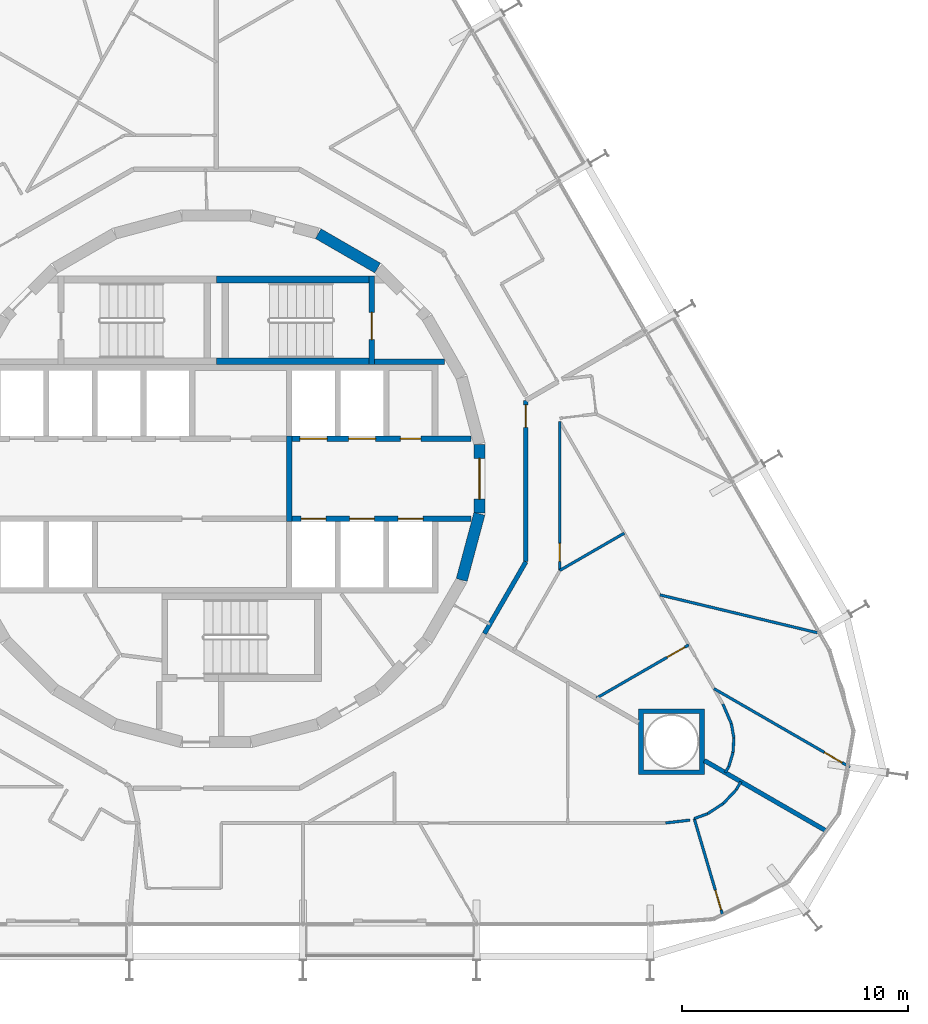
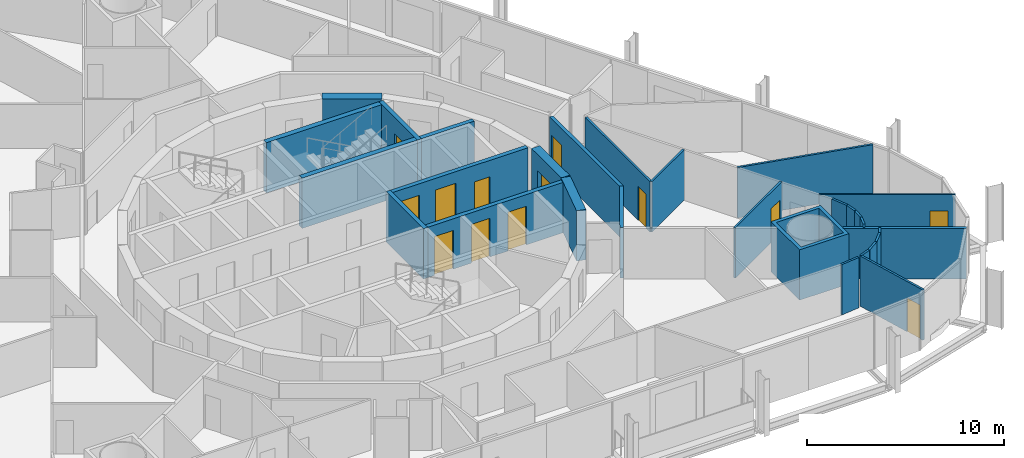
# One storey, part 16 of 20: 30 walls, 13 doors, 13 openings.
"""IFC4 building model written with IfcOpenShell, lengths in metres."""

from ifc_helpers import new_model, si_unit, direction, frame, frame_2d, origin, place, context, subcontext, project, spatial, polyline, rectangle, outline, extrude, material, layer, layer_set, type_object, element, fill, save


model = new_model("IFC4")

# Units and contexts
model_context = context("Model", 3, precision=1e-05, world=origin(), true_north=direction((0.0, 1.0)))
body_context = subcontext(model_context, "Body", "Model", "MODEL_VIEW")
ifc_project = project(units=[si_unit("LENGTHUNIT", "METRE"), si_unit("AREAUNIT", "SQUARE_METRE"), si_unit("VOLUMEUNIT", "CUBIC_METRE"), si_unit("PLANEANGLEUNIT", "RADIAN"), si_unit("MASSUNIT", "GRAM", prefix="KILO")], contexts=[model_context])

# Site, building, storey
site_placement = place(None, origin())
site = spatial("IfcSite", under=ifc_project, at=site_placement, CompositionType="ELEMENT")
building_placement = place(site_placement, origin())
building = spatial("IfcBuilding", under=site, at=building_placement, Name="Spindle Arch Residences", CompositionType="ELEMENT")
storey_placement = place(building_placement, frame((0.0, 0.0, 59.39990234375)))
storey = spatial("IfcBuildingStorey", under=building, at=storey_placement, Name="L13", CompositionType="ELEMENT", Elevation=59.39990234375)

# Wall
ifc_material_1 = material(Name="Concrete C50/60", Category="concrete")
ifc_layer_1 = layer(ifc_material_1, 0.5)
ifc_layer_set_1 = layer_set([ifc_layer_1], Name="Core outline wall 500")
wall_type_1 = type_object("IfcWallType", Name="Core outline wall 500", PredefinedType="SHEAR", material=ifc_layer_set_1)
wall_1_placement = place(storey_placement, frame((10.858154296875, -4.479248046875, 0.0), z_axis=(0.0, 0.0, 1.0), x_axis=(0.258734743916, 0.965948410781, 0.0)))
element("IfcWall", 1, at=wall_1_placement, inside=storey, type_object=wall_type_1, Name="Core outline wall 5", PredefinedType="SHEAR", context=body_context, shape_type="SweptSolid", body=[
    extrude(rectangle(XDim=3.03271484375, YDim=0.5, at=frame_2d((1.516357421875, 0.0))), origin(), (0.0, 0.0, 1.0), 3.1201171875),
])

# Wall, opening, door
wall_2_placement = place(storey_placement, frame((11.647216796875, -1.516357421875, 0.0), z_axis=(0.0, 0.0, 1.0), x_axis=(0.0, 1.0, 0.0)))
wall_2 = element("IfcWall", 2, at=wall_2_placement, inside=storey, type_object=wall_type_1, Name="Core outline wall 6", PredefinedType="SHEAR", context=body_context, shape_type="SweptSolid", body=[
    extrude(rectangle(XDim=3.03271484375, YDim=0.5, at=frame_2d((1.516357421875, 0.0))), origin(), (0.0, 0.0, 1.0), 3.1201171875),
])
opening_1_placement = place(wall_2_placement, frame((0.6162109375, 0.0, 0.0)))
opening_1 = element("IfcOpeningElement", 3, at=opening_1_placement, cuts=wall_2, Name="Opening R1C0-FE01", PredefinedType="OPENING", context=body_context, shape_type="SweptSolid", body=[
    extrude(rectangle(XDim=1.800048828125, YDim=2.10009765625, at=frame_2d((0.89990234375, 1.050048828125))), frame((0.0, 0.260009765625, 0.0), z_axis=(0.0, -1.0, 0.0), x_axis=(1.0, 0.0, 0.0)), (0.0, 0.0, 1.0), 0.52001953125),
])
ifc_material_2 = material(Name="Steel, fire-resisting door", Category="steel")
door_type_1 = type_object("IfcDoorType", Name="Fire-lift lobby door 1800x2100", OperationType="DOUBLE_DOOR_SINGLE_SWING", PredefinedType="DOOR", material=ifc_material_2)
door_1_placement = place(opening_1_placement, origin())
door_1 = element("IfcDoor", 4, at=door_1_placement, inside=storey, type_object=door_type_1, Name="Fire-lift lobby door R1C0-FE01", OperationType="DOUBLE_DOOR_SINGLE_SWING", OverallHeight=2.10009765625, OverallWidth=1.800048828125, PredefinedType="DOOR", context=body_context, shape_type="SweptSolid", body=[
    extrude(rectangle(XDim=1.800048828125, YDim=2.10009765625, at=frame_2d((0.89990234375, 1.050048828125))), frame((0.0, 0.02490234375, 0.0), z_axis=(0.0, -1.0, 0.0), x_axis=(1.0, 0.0, 0.0)), (0.0, 0.0, 1.0), 0.050048828125),
])
fill(opening_1, door_1)

# Walls
wall_3_placement = place(storey_placement, frame((7.13671875, 9.32861328125, 0.0), z_axis=(0.0, 0.0, 1.0), x_axis=(-0.865975092491, 0.500087131594, 0.0)))
element("IfcWall", 5, at=wall_3_placement, inside=storey, type_object=wall_type_1, Name="Core outline wall 10", PredefinedType="SHEAR", context=body_context, shape_type="SweptSolid", body=[
    extrude(rectangle(XDim=3.03271484375, YDim=0.5, at=frame_2d((1.516357421875, 0.0))), origin(), (0.0, 0.0, 1.0), 3.1201171875),
])
ifc_material_3 = material(Name="Calcium silicate block, plastered")
ifc_layer_2 = layer(ifc_material_3, 0.199951171875)
ifc_layer_set_2 = layer_set([ifc_layer_2], Name="Corridor wall 200")
wall_type_2 = type_object("IfcWallType", Name="Corridor wall 200", PredefinedType="STANDARD", material=ifc_layer_set_2)
wall_4_placement = place(storey_placement, frame((11.864501953125, -6.85009765625, 0.0), z_axis=(0.0, 0.0, 1.0), x_axis=(0.499987270552, 0.86603275301, 0.0)))
element("IfcWall", 6, at=wall_4_placement, inside=storey, type_object=wall_type_2, Name="Corridor wall R1C0-W007", PredefinedType="STANDARD", context=body_context, shape_type="SweptSolid", body=[
    extrude(rectangle(XDim=3.6708984375, YDim=0.199951171875, at=frame_2d((1.83544921875, 0.0))), origin(), (0.0, 0.0, 1.0), 3.1201171875),
])

# Wall, opening, door
wall_5_placement = place(storey_placement, frame((13.699951171875, -3.6708984375, 0.0), z_axis=(0.0, 0.0, 1.0), x_axis=(0.0, 1.0, 0.0)))
wall_5 = element("IfcWall", 7, at=wall_5_placement, inside=storey, type_object=wall_type_2, Name="Corridor wall R1C0-W008", PredefinedType="STANDARD", context=body_context, shape_type="SweptSolid", body=[
    extrude(rectangle(XDim=7.146484375, YDim=0.199951171875, at=frame_2d((3.5732421875, 0.0))), origin(), (0.0, 0.0, 1.0), 3.1201171875),
])
opening_2_placement = place(wall_5_placement, frame((5.946533203125, 0.0, 0.0)))
opening_2 = element("IfcOpeningElement", 8, at=opening_2_placement, cuts=wall_5, Name="Opening R1C0-FD06", PredefinedType="OPENING", context=body_context, shape_type="SweptSolid", body=[
    extrude(rectangle(XDim=1.0, YDim=2.10009765625, at=frame_2d((0.5, 1.050048828125))), frame((0.0, 0.10986328125, 0.0), z_axis=(0.0, -1.0, 0.0), x_axis=(1.0, 0.0, 0.0)), (0.0, 0.0, 1.0), 0.219970703125),
])
ifc_material_4 = material(Name="Timber, fire-resisting door set", Category="wood")
door_type_2 = type_object("IfcDoorType", Name="Flat entrance door 1000x2100", OperationType="NOTDEFINED", PredefinedType="DOOR", material=ifc_material_4)
door_2_placement = place(opening_2_placement, origin())
door_2 = element("IfcDoor", 9, at=door_2_placement, inside=storey, type_object=door_type_2, Name="Flat entrance door R1C0-FD06", OperationType="SINGLE_SWING_LEFT", OverallHeight=2.10009765625, OverallWidth=1.0, PredefinedType="DOOR", context=body_context, shape_type="SweptSolid", body=[
    extrude(rectangle(XDim=1.0, YDim=2.10009765625, at=frame_2d((0.5, 1.050048828125))), frame((0.0, 0.02490234375, 0.0), z_axis=(0.0, -1.0, 0.0), x_axis=(1.0, 0.0, 0.0)), (0.0, 0.0, 1.0), 0.050048828125),
])
fill(opening_2, door_2)

# Wall, openings, doors
ifc_material_5 = material(Name="Concrete C40/50", Category="concrete")
ifc_layer_3 = layer(ifc_material_5, 0.25)
ifc_layer_set_3 = layer_set([ifc_layer_3], Name="Fire-lift lobby wall 250")
wall_type_3 = type_object("IfcWallType", Name="Fire-lift lobby wall 250", PredefinedType="SHEAR", material=ifc_layer_set_3)
wall_6_placement = place(storey_placement, frame((3.35009765625, 1.77490234375, 0.0), z_axis=(0.0, 0.0, 1.0), x_axis=(1.0, 0.0, 0.0)))
wall_6 = element("IfcWall", 10, at=wall_6_placement, inside=storey, type_object=wall_type_3, Name="Lift shaft front wall NE", PredefinedType="SHEAR", context=body_context, shape_type="SweptSolid", body=[
    extrude(rectangle(XDim=7.929931640625, YDim=0.25, at=frame_2d((3.96484375, 0.0))), origin(), (0.0, 0.0, 1.0), 3.1201171875),
])
opening_3_placement = place(wall_6_placement, frame((0.35009765625, 0.0, 0.0)))
opening_3 = element("IfcOpeningElement", 11, at=opening_3_placement, cuts=wall_6, Name="Opening R1C0-SLD01", PredefinedType="OPENING", context=body_context, shape_type="SweptSolid", body=[
    extrude(rectangle(XDim=1.199951171875, YDim=2.39990234375, at=frame_2d((0.60009765625, 1.199951171875))), frame((0.0, 0.135009765625, 0.0), z_axis=(0.0, -1.0, 0.0), x_axis=(1.0, 0.0, 0.0)), (0.0, 0.0, 1.0), 0.27001953125),
])
opening_4_placement = place(wall_6_placement, frame((2.5, 0.0, 0.0)))
opening_4 = element("IfcOpeningElement", 12, at=opening_4_placement, cuts=wall_6, Name="Opening R1C0-SLD02", PredefinedType="OPENING", context=body_context, shape_type="SweptSolid", body=[
    extrude(rectangle(XDim=1.199951171875, YDim=2.39990234375, at=frame_2d((0.60009765625, 1.199951171875))), frame((0.0, 0.135009765625, 0.0), z_axis=(0.0, -1.0, 0.0), x_axis=(1.0, 0.0, 0.0)), (0.0, 0.0, 1.0), 0.27001953125),
])
opening_5_placement = place(wall_6_placement, frame((4.800048828125, 0.0, 0.0)))
opening_5 = element("IfcOpeningElement", 13, at=opening_5_placement, cuts=wall_6, Name="Opening R1C0-WD02", PredefinedType="OPENING", context=body_context, shape_type="SweptSolid", body=[
    extrude(rectangle(XDim=0.89990234375, YDim=2.10009765625, at=frame_2d((0.449951171875, 1.050048828125))), frame((0.0, 0.135009765625, 0.0), z_axis=(0.0, -1.0, 0.0), x_axis=(1.0, 0.0, 0.0)), (0.0, 0.0, 1.0), 0.27001953125),
])
ifc_material_6 = material(Name="Steel, fire-resisting landing door", Category="steel")
door_type_3 = type_object("IfcDoorType", Name="Service lift landing door 1200x2400", OperationType="DOUBLE_DOOR_SLIDING", PredefinedType="DOOR", material=ifc_material_6)
door_3_placement = place(opening_3_placement, origin())
door_3 = element("IfcDoor", 14, at=door_3_placement, inside=storey, type_object=door_type_3, Name="Service lift landing door R1C0-SLD01", OperationType="DOUBLE_DOOR_SLIDING", OverallHeight=2.39990234375, OverallWidth=1.199951171875, PredefinedType="DOOR", context=body_context, shape_type="SweptSolid", body=[
    extrude(rectangle(XDim=1.199951171875, YDim=2.39990234375, at=frame_2d((0.60009765625, 1.199951171875))), frame((0.0, 0.02490234375, 0.0), z_axis=(0.0, -1.0, 0.0), x_axis=(1.0, 0.0, 0.0)), (0.0, 0.0, 1.0), 0.050048828125),
])
fill(opening_3, door_3)
door_4_placement = place(opening_4_placement, origin())
door_4 = element("IfcDoor", 15, at=door_4_placement, inside=storey, type_object=door_type_3, Name="Service lift landing door R1C0-SLD02", OperationType="DOUBLE_DOOR_SLIDING", OverallHeight=2.39990234375, OverallWidth=1.199951171875, PredefinedType="DOOR", context=body_context, shape_type="SweptSolid", body=[
    extrude(rectangle(XDim=1.199951171875, YDim=2.39990234375, at=frame_2d((0.60009765625, 1.199951171875))), frame((0.0, 0.02490234375, 0.0), z_axis=(0.0, -1.0, 0.0), x_axis=(1.0, 0.0, 0.0)), (0.0, 0.0, 1.0), 0.050048828125),
])
fill(opening_4, door_4)
ifc_material_7 = material(Name="Steel, fire-resisting door", Category="steel")
door_type_4 = type_object("IfcDoorType", Name="Service room door 900x2100", OperationType="SINGLE_SWING_LEFT", PredefinedType="DOOR", material=ifc_material_7)
door_5_placement = place(opening_5_placement, origin())
door_5 = element("IfcDoor", 16, at=door_5_placement, inside=storey, type_object=door_type_4, Name="Service room door R1C0-WD02", OperationType="SINGLE_SWING_LEFT", OverallHeight=2.10009765625, OverallWidth=0.89990234375, PredefinedType="DOOR", context=body_context, shape_type="SweptSolid", body=[
    extrude(rectangle(XDim=0.89990234375, YDim=2.10009765625, at=frame_2d((0.449951171875, 1.050048828125))), frame((0.0, 0.02490234375, 0.0), z_axis=(0.0, -1.0, 0.0), x_axis=(1.0, 0.0, 0.0)), (0.0, 0.0, 1.0), 0.050048828125),
])
fill(opening_5, door_5)

# Wall
wall_7_placement = place(storey_placement, frame((3.22509765625, -1.89990234375, 0.0), z_axis=(0.0, 0.0, 1.0), x_axis=(0.0, 1.0, 0.0)))
element("IfcWall", 17, at=wall_7_placement, inside=storey, type_object=wall_type_3, Name="Fire-fighting lobby partition", PredefinedType="SHEAR", context=body_context, shape_type="SweptSolid", body=[
    extrude(rectangle(XDim=3.7998046875, YDim=0.25, at=frame_2d((1.89990234375, 0.0))), origin(), (0.0, 0.0, 1.0), 3.1201171875),
])

# Wall, openings, doors
ifc_material_8 = material(Name="Concrete C50/60", Category="concrete")
ifc_layer_4 = layer(ifc_material_8, 0.25)
ifc_layer_set_4 = layer_set([ifc_layer_4], Name="Fire-lift shaft wall 250")
wall_type_4 = type_object("IfcWallType", Name="Fire-lift shaft wall 250", PredefinedType="SHEAR", material=ifc_layer_set_4)
wall_8_placement = place(storey_placement, frame((3.35009765625, -1.77490234375, 0.0), z_axis=(0.0, 0.0, 1.0), x_axis=(1.0, 0.0, 0.0)))
wall_8 = element("IfcWall", 18, at=wall_8_placement, inside=storey, type_object=wall_type_4, Name="Lift shaft front wall SE", PredefinedType="SHEAR", context=body_context, shape_type="SweptSolid", body=[
    extrude(rectangle(XDim=7.929931640625, YDim=0.25, at=frame_2d((3.96484375, 0.0))), origin(), (0.0, 0.0, 1.0), 3.1201171875),
])
opening_6_placement = place(wall_8_placement, frame((0.39990234375, 0.0, 0.0)))
opening_6 = element("IfcOpeningElement", 19, at=opening_6_placement, cuts=wall_8, Name="Opening R1C0-FLD01", PredefinedType="OPENING", context=body_context, shape_type="SweptSolid", body=[
    extrude(rectangle(XDim=1.10009765625, YDim=2.39990234375, at=frame_2d((0.550048828125, 1.199951171875))), frame((0.0, 0.135009765625, 0.0), z_axis=(0.0, -1.0, 0.0), x_axis=(1.0, 0.0, 0.0)), (0.0, 0.0, 1.0), 0.27001953125),
])
opening_7_placement = place(wall_8_placement, frame((2.550048828125, 0.0, 0.0)))
opening_7 = element("IfcOpeningElement", 20, at=opening_7_placement, cuts=wall_8, Name="Opening R1C0-FLD02", PredefinedType="OPENING", context=body_context, shape_type="SweptSolid", body=[
    extrude(rectangle(XDim=1.10009765625, YDim=2.39990234375, at=frame_2d((0.550048828125, 1.199951171875))), frame((0.0, 0.135009765625, 0.0), z_axis=(0.0, -1.0, 0.0), x_axis=(1.0, 0.0, 0.0)), (0.0, 0.0, 1.0), 0.27001953125),
])
opening_8_placement = place(wall_8_placement, frame((4.699951171875, 0.0, 0.0)))
opening_8 = element("IfcOpeningElement", 21, at=opening_8_placement, cuts=wall_8, Name="Opening R1C0-FLD03", PredefinedType="OPENING", context=body_context, shape_type="SweptSolid", body=[
    extrude(rectangle(XDim=1.10009765625, YDim=2.39990234375, at=frame_2d((0.550048828125, 1.199951171875))), frame((0.0, 0.135009765625, 0.0), z_axis=(0.0, -1.0, 0.0), x_axis=(1.0, 0.0, 0.0)), (0.0, 0.0, 1.0), 0.27001953125),
])
ifc_material_9 = material(Name="Steel, fire-resisting landing door", Category="steel")
door_type_5 = type_object("IfcDoorType", Name="Fire-fighting lift landing door 1100x2400", OperationType="DOUBLE_DOOR_SLIDING", PredefinedType="DOOR", material=ifc_material_9)
door_6_placement = place(opening_6_placement, origin())
door_6 = element("IfcDoor", 22, at=door_6_placement, inside=storey, type_object=door_type_5, Name="Fire-fighting lift landing door R1C0-FLD01", OperationType="DOUBLE_DOOR_SLIDING", OverallHeight=2.39990234375, OverallWidth=1.10009765625, PredefinedType="DOOR", context=body_context, shape_type="SweptSolid", body=[
    extrude(rectangle(XDim=1.10009765625, YDim=2.39990234375, at=frame_2d((0.550048828125, 1.199951171875))), frame((0.0, 0.02490234375, 0.0), z_axis=(0.0, -1.0, 0.0), x_axis=(1.0, 0.0, 0.0)), (0.0, 0.0, 1.0), 0.050048828125),
])
fill(opening_6, door_6)
door_7_placement = place(opening_7_placement, origin())
door_7 = element("IfcDoor", 23, at=door_7_placement, inside=storey, type_object=door_type_5, Name="Fire-fighting lift landing door R1C0-FLD02", OperationType="DOUBLE_DOOR_SLIDING", OverallHeight=2.39990234375, OverallWidth=1.10009765625, PredefinedType="DOOR", context=body_context, shape_type="SweptSolid", body=[
    extrude(rectangle(XDim=1.10009765625, YDim=2.39990234375, at=frame_2d((0.550048828125, 1.199951171875))), frame((0.0, 0.02490234375, 0.0), z_axis=(0.0, -1.0, 0.0), x_axis=(1.0, 0.0, 0.0)), (0.0, 0.0, 1.0), 0.050048828125),
])
fill(opening_7, door_7)
door_8_placement = place(opening_8_placement, origin())
door_8 = element("IfcDoor", 24, at=door_8_placement, inside=storey, type_object=door_type_5, Name="Fire-fighting lift landing door R1C0-FLD03", OperationType="DOUBLE_DOOR_SLIDING", OverallHeight=2.39990234375, OverallWidth=1.10009765625, PredefinedType="DOOR", context=body_context, shape_type="SweptSolid", body=[
    extrude(rectangle(XDim=1.10009765625, YDim=2.39990234375, at=frame_2d((0.550048828125, 1.199951171875))), frame((0.0, 0.02490234375, 0.0), z_axis=(0.0, -1.0, 0.0), x_axis=(1.0, 0.0, 0.0)), (0.0, 0.0, 1.0), 0.050048828125),
])
fill(opening_8, door_8)

# Wall
ifc_material_10 = material(Name="Plasterboard on steel studs", Category="steel")
ifc_layer_5 = layer(ifc_material_10, 0.1201171875)
ifc_layer_set_5 = layer_set([ifc_layer_5], Name="Flat partition 120")
wall_type_5 = type_object("IfcWallType", Name="Flat partition 120", PredefinedType="PARTITIONING", material=ifc_layer_set_5)
wall_9_placement = place(storey_placement, frame((20.966796875, -15.103759765625, 0.0), z_axis=(0.0, 0.0, 1.0), x_axis=(-0.993231641151, -0.116150363826, 0.0)))
element("IfcWall", 25, at=wall_9_placement, inside=storey, type_object=wall_type_5, Name="Flat partition R1C0-W106", PredefinedType="PARTITIONING", context=body_context, shape_type="SweptSolid", body=[
    extrude(rectangle(XDim=1.086669921875, YDim=0.1201171875, at=frame_2d((0.54345703125, 0.0))), origin(), (0.0, 0.0, 1.0), 3.1201171875),
])

# Wall, opening, door
wall_10_placement = place(storey_placement, frame((22.395751953125, -19.26611328125, 0.0), z_axis=(0.0, 0.0, 1.0), x_axis=(-0.282873823334, 0.959157130022, 0.0)))
wall_10 = element("IfcWall", 26, at=wall_10_placement, inside=storey, type_object=wall_type_5, Name="Flat partition R1C0-W107", PredefinedType="PARTITIONING", context=body_context, shape_type="SweptSolid", body=[
    extrude(rectangle(XDim=4.40869140625, YDim=0.1201171875, at=frame_2d((2.204345703125, 0.0))), origin(), (0.0, 0.0, 1.0), 3.1201171875),
])
opening_9_placement = place(wall_10_placement, frame((0.199951171875, 0.0, 0.0)))
opening_9 = element("IfcOpeningElement", 27, at=opening_9_placement, cuts=wall_10, Name="Opening R1C0-ID28", PredefinedType="OPENING", context=body_context, shape_type="SweptSolid", body=[
    extrude(rectangle(XDim=0.89990234375, YDim=2.10009765625, at=frame_2d((0.449951171875, 1.050048828125))), frame((0.0, 0.070068359375, 0.0), z_axis=(0.0, -1.0, 0.0), x_axis=(1.0, 0.0, 0.0)), (0.0, 0.0, 1.0), 0.14013671875),
])
ifc_material_11 = material(Name="Timber door set", Category="wood")
door_type_6 = type_object("IfcDoorType", Name="Room door 900x2100", OperationType="NOTDEFINED", PredefinedType="DOOR", material=ifc_material_11)
door_9_placement = place(opening_9_placement, origin())
door_9 = element("IfcDoor", 28, at=door_9_placement, inside=storey, type_object=door_type_6, Name="Room door R1C0-ID28", OperationType="SINGLE_SWING_RIGHT", OverallHeight=2.10009765625, OverallWidth=0.89990234375, PredefinedType="DOOR", context=body_context, shape_type="SweptSolid", body=[
    extrude(rectangle(XDim=0.89990234375, YDim=2.10009765625, at=frame_2d((0.449951171875, 1.050048828125))), frame((0.0, 0.02490234375, 0.0), z_axis=(0.0, -1.0, 0.0), x_axis=(1.0, 0.0, 0.0)), (0.0, 0.0, 1.0), 0.050048828125),
])
fill(opening_9, door_9)

# Walls
wall_11_placement = place(storey_placement, frame((21.148681640625, -15.03759765625, 0.0), z_axis=(0.0, 0.0, 1.0), x_axis=(0.939726102094, 0.341928140173, 0.0)))
element("IfcWall", 29, at=wall_11_placement, inside=storey, type_object=wall_type_5, Name="Flat partition R1C0-W108", PredefinedType="PARTITIONING", context=body_context, shape_type="SweptSolid", body=[
    extrude(rectangle(XDim=0.635498046875, YDim=0.1201171875, at=frame_2d((0.31787109375, 0.0))), origin(), (0.0, 0.0, 1.0), 3.1201171875),
])
wall_12_placement = place(storey_placement, frame((21.745849609375, -14.8203125, 0.0), z_axis=(0.0, 0.0, 1.0), x_axis=(0.835477570013, 0.549524549046, 0.0)))
element("IfcWall", 30, at=wall_12_placement, inside=storey, type_object=wall_type_5, Name="Flat partition R1C0-W109", PredefinedType="PARTITIONING", context=body_context, shape_type="SweptSolid", body=[
    extrude(rectangle(XDim=0.8291015625, YDim=0.1201171875, at=frame_2d((0.41455078125, 0.0))), origin(), (0.0, 0.0, 1.0), 3.1201171875),
])
wall_13_placement = place(storey_placement, frame((22.4384765625, -14.36474609375, 0.0), z_axis=(0.0, 0.0, 1.0), x_axis=(0.686182189596, 0.727429723535, 0.0)))
element("IfcWall", 31, at=wall_13_placement, inside=storey, type_object=wall_type_5, Name="Flat partition R1C0-W110", PredefinedType="PARTITIONING", context=body_context, shape_type="SweptSolid", body=[
    extrude(rectangle(XDim=0.82861328125, YDim=0.1201171875, at=frame_2d((0.414306640625, 0.0))), origin(), (0.0, 0.0, 1.0), 3.1201171875),
])
wall_14_placement = place(storey_placement, frame((23.007080078125, -13.761962890625, 0.0), z_axis=(0.0, 0.0, 1.0), x_axis=(0.499875358948, 0.866097353371, 0.0)))
element("IfcWall", 32, at=wall_14_placement, inside=storey, type_object=wall_type_5, Name="Flat partition R1C0-W111", PredefinedType="PARTITIONING", context=body_context, shape_type="SweptSolid", body=[
    extrude(rectangle(XDim=0.41455078125, YDim=0.1201171875, at=frame_2d((0.207275390625, 0.0))), origin(), (0.0, 0.0, 1.0), 3.1201171875),
])

# Wall, opening, door
wall_15_placement = place(storey_placement, frame((15.199951171875, -4.054931640625, 0.0), z_axis=(0.0, 0.0, 1.0), x_axis=(0.0, 1.0, 0.0)))
wall_15 = element("IfcWall", 33, at=wall_15_placement, inside=storey, type_object=wall_type_5, Name="Flat partition R1C0-W116", PredefinedType="PARTITIONING", context=body_context, shape_type="SweptSolid", body=[
    extrude(rectangle(XDim=6.587646484375, YDim=0.1201171875, at=frame_2d((3.2939453125, 0.0))), origin(), (0.0, 0.0, 1.0), 3.1201171875),
])
opening_10_placement = place(wall_15_placement, frame((0.39990234375, 0.0, 0.0)))
opening_10 = element("IfcOpeningElement", 34, at=opening_10_placement, cuts=wall_15, Name="Opening R1C0-BD07", PredefinedType="OPENING", context=body_context, shape_type="SweptSolid", body=[
    extrude(rectangle(XDim=0.800048828125, YDim=2.10009765625, at=frame_2d((0.39990234375, 1.050048828125))), frame((0.0, 0.070068359375, 0.0), z_axis=(0.0, -1.0, 0.0), x_axis=(1.0, 0.0, 0.0)), (0.0, 0.0, 1.0), 0.14013671875),
])
ifc_material_12 = material(Name="Timber door set", Category="wood")
door_type_7 = type_object("IfcDoorType", Name="Bathroom door 800x2100", OperationType="NOTDEFINED", PredefinedType="DOOR", material=ifc_material_12)
door_10_placement = place(opening_10_placement, origin())
door_10 = element("IfcDoor", 35, at=door_10_placement, inside=storey, type_object=door_type_7, Name="Bathroom door R1C0-BD07", OperationType="SINGLE_SWING_LEFT", OverallHeight=2.10009765625, OverallWidth=0.800048828125, PredefinedType="DOOR", context=body_context, shape_type="SweptSolid", body=[
    extrude(rectangle(XDim=0.800048828125, YDim=2.10009765625, at=frame_2d((0.39990234375, 1.050048828125))), frame((0.0, 0.02490234375, 0.0), z_axis=(0.0, -1.0, 0.0), x_axis=(1.0, 0.0, 0.0)), (0.0, 0.0, 1.0), 0.050048828125),
])
fill(opening_10, door_10)

# Walls
wall_16_placement = place(storey_placement, frame((22.4169921875, -9.967529296875, 0.0), z_axis=(0.0, 0.0, 1.0), x_axis=(0.395971779074, -0.918262680379, 0.0)))
element("IfcWall", 36, at=wall_16_placement, inside=storey, type_object=wall_type_5, Name="Flat partition R1C0-W119", PredefinedType="PARTITIONING", context=body_context, shape_type="SweptSolid", body=[
    extrude(rectangle(XDim=0.947021484375, YDim=0.1201171875, at=frame_2d((0.4736328125, 0.0))), origin(), (0.0, 0.0, 1.0), 3.1201171875),
])
wall_17_placement = place(storey_placement, frame((22.7919921875, -10.837158203125, 0.0), z_axis=(0.0, 0.0, 1.0), x_axis=(0.17382873157, -0.984775899421, 0.0)))
element("IfcWall", 37, at=wall_17_placement, inside=storey, type_object=wall_type_5, Name="Flat partition R1C0-W120", PredefinedType="PARTITIONING", context=body_context, shape_type="SweptSolid", body=[
    extrude(rectangle(XDim=0.641845703125, YDim=0.1201171875, at=frame_2d((0.32080078125, 0.0))), origin(), (0.0, 0.0, 1.0), 3.1201171875),
])
wall_18_placement = place(storey_placement, frame((22.903564453125, -11.46923828125, 0.0), z_axis=(0.0, 0.0, 1.0), x_axis=(-0.05820906079, -0.998304415117, 0.0)))
element("IfcWall", 38, at=wall_18_placement, inside=storey, type_object=wall_type_5, Name="Flat partition R1C0-W121", PredefinedType="PARTITIONING", context=body_context, shape_type="SweptSolid", body=[
    extrude(rectangle(XDim=0.6416015625, YDim=0.1201171875, at=frame_2d((0.32080078125, 0.0))), origin(), (0.0, 0.0, 1.0), 3.1201171875),
])
wall_19_placement = place(storey_placement, frame((22.8662109375, -12.10986328125, 0.0), z_axis=(0.0, 0.0, 1.0), x_axis=(-0.286754684479, -0.958004045362, 0.0)))
element("IfcWall", 39, at=wall_19_placement, inside=storey, type_object=wall_type_5, Name="Flat partition R1C0-W122", PredefinedType="PARTITIONING", context=body_context, shape_type="SweptSolid", body=[
    extrude(rectangle(XDim=0.641845703125, YDim=0.1201171875, at=frame_2d((0.32080078125, 0.0))), origin(), (0.0, 0.0, 1.0), 3.1201171875),
])
wall_20_placement = place(storey_placement, frame((22.68212890625, -12.724853515625, 0.0), z_axis=(0.0, 0.0, 1.0), x_axis=(-0.500226934229, -0.865894343596, 0.0)))
element("IfcWall", 40, at=wall_20_placement, inside=storey, type_object=wall_type_5, Name="Flat partition R1C0-W123", PredefinedType="PARTITIONING", context=body_context, shape_type="SweptSolid", body=[
    extrude(rectangle(XDim=0.321044921875, YDim=0.1201171875, at=frame_2d((0.16064453125, 0.0))), origin(), (0.0, 0.0, 1.0), 3.1201171875),
])

# Wall, opening, door
wall_21_placement = place(storey_placement, frame((28.037109375, -12.75927734375, 0.0), z_axis=(0.0, 0.0, 1.0), x_axis=(-0.866009909538, 0.500026835863, 0.0)))
wall_21 = element("IfcWall", 41, at=wall_21_placement, inside=storey, type_object=wall_type_5, Name="Flat partition R1C0-W124", PredefinedType="PARTITIONING", context=body_context, shape_type="SweptSolid", body=[
    extrude(rectangle(XDim=6.94287109375, YDim=0.1201171875, at=frame_2d((3.471435546875, 0.0))), origin(), (0.0, 0.0, 1.0), 3.1201171875),
])
opening_11_placement = place(wall_21_placement, frame((0.39990234375, 0.0, 0.0)))
opening_11 = element("IfcOpeningElement", 42, at=opening_11_placement, cuts=wall_21, Name="Opening R1C0-ID34", PredefinedType="OPENING", context=body_context, shape_type="SweptSolid", body=[
    extrude(rectangle(XDim=0.89990234375, YDim=2.10009765625, at=frame_2d((0.449951171875, 1.050048828125))), frame((0.0, 0.070068359375, 0.0), z_axis=(0.0, -1.0, 0.0), x_axis=(1.0, 0.0, 0.0)), (0.0, 0.0, 1.0), 0.14013671875),
])
door_11_placement = place(opening_11_placement, origin())
door_11 = element("IfcDoor", 43, at=door_11_placement, inside=storey, type_object=door_type_6, Name="Room door R1C0-ID34", OperationType="SINGLE_SWING_LEFT", OverallHeight=2.10009765625, OverallWidth=0.89990234375, PredefinedType="DOOR", context=body_context, shape_type="SweptSolid", body=[
    extrude(rectangle(XDim=0.89990234375, YDim=2.10009765625, at=frame_2d((0.449951171875, 1.050048828125))), frame((0.0, 0.02490234375, 0.0), z_axis=(0.0, -1.0, 0.0), x_axis=(1.0, 0.0, 0.0)), (0.0, 0.0, 1.0), 0.050048828125),
])
fill(opening_11, door_11)

wall_22_placement = place(storey_placement, frame((20.905029296875, -7.3486328125, 0.0), z_axis=(0.0, 0.0, 1.0), x_axis=(-0.866032292145, -0.49998806882, 0.0)))
wall_22 = element("IfcWall", 44, at=wall_22_placement, inside=storey, type_object=wall_type_5, Name="Flat partition R1C0-W125", PredefinedType="PARTITIONING", context=body_context, shape_type="SweptSolid", body=[
    extrude(rectangle(XDim=4.720703125, YDim=0.1201171875, at=frame_2d((2.3603515625, 0.0))), origin(), (0.0, 0.0, 1.0), 3.1201171875),
])
opening_12_placement = place(wall_22_placement, frame((0.199951171875, 0.0, 0.0)))
opening_12 = element("IfcOpeningElement", 45, at=opening_12_placement, cuts=wall_22, Name="Opening R1C0-ID32", PredefinedType="OPENING", context=body_context, shape_type="SweptSolid", body=[
    extrude(rectangle(XDim=0.89990234375, YDim=2.10009765625, at=frame_2d((0.449951171875, 1.050048828125))), frame((0.0, 0.070068359375, 0.0), z_axis=(0.0, -1.0, 0.0), x_axis=(1.0, 0.0, 0.0)), (0.0, 0.0, 1.0), 0.14013671875),
])
door_12_placement = place(opening_12_placement, origin())
door_12 = element("IfcDoor", 46, at=door_12_placement, inside=storey, type_object=door_type_6, Name="Room door R1C0-ID32", OperationType="SINGLE_SWING_LEFT", OverallHeight=2.10009765625, OverallWidth=0.89990234375, PredefinedType="DOOR", context=body_context, shape_type="SweptSolid", body=[
    extrude(rectangle(XDim=0.89990234375, YDim=2.10009765625, at=frame_2d((0.449951171875, 1.050048828125))), frame((0.0, 0.02490234375, 0.0), z_axis=(0.0, -1.0, 0.0), x_axis=(1.0, 0.0, 0.0)), (0.0, 0.0, 1.0), 0.050048828125),
])
fill(opening_12, door_12)

# Walls
wall_23_placement = place(storey_placement, frame((18.052490234375, -2.407958984375, 0.0), z_axis=(0.0, 0.0, 1.0), x_axis=(-0.866017718408, -0.500013311227, 0.0)))
element("IfcWall", 47, at=wall_23_placement, inside=storey, type_object=wall_type_5, Name="Flat partition R1C0-W126", PredefinedType="PARTITIONING", context=body_context, shape_type="SweptSolid", body=[
    extrude(rectangle(XDim=3.2939453125, YDim=0.1201171875, at=frame_2d((1.64697265625, 0.0))), origin(), (0.0, 0.0, 1.0), 3.1201171875),
])
wall_24_placement = place(storey_placement, frame((26.60009765625, -6.81298828125, 0.0), z_axis=(0.0, 0.0, 1.0), x_axis=(-0.972307508101, 0.23370517686, 0.0)))
element("IfcWall", 48, at=wall_24_placement, inside=storey, type_object=wall_type_5, Name="Flat partition R1C0-W127", PredefinedType="PARTITIONING", context=body_context, shape_type="SweptSolid", body=[
    extrude(rectangle(XDim=7.17041015625, YDim=0.1201171875, at=frame_2d((3.585205078125, 0.0))), origin(), (0.0, 0.0, 1.0), 3.1201171875),
])
ifc_material_13 = material(Name="Calcium silicate block, plastered")
ifc_layer_6 = layer(ifc_material_13, 0.199951171875)
ifc_layer_set_6 = layer_set([ifc_layer_6], Name="Flat party wall 200")
wall_type_6 = type_object("IfcWallType", Name="Flat party wall 200", PredefinedType="STANDARD", material=ifc_layer_set_6)
wall_25_placement = place(storey_placement, frame((27.02490234375, -15.602783203125, 0.0), z_axis=(0.0, 0.0, 1.0), x_axis=(-0.866030653443, 0.499990907215, 0.0)))
element("IfcWall", 49, at=wall_25_placement, inside=storey, type_object=wall_type_6, Name="Flat party wall R1C0-W030", PredefinedType="STANDARD", context=body_context, shape_type="SweptSolid", body=[
    extrude(rectangle(XDim=6.271484375, YDim=0.199951171875, at=frame_2d((3.1357421875, 0.0))), origin(), (0.0, 0.0, 1.0), 3.1201171875),
])
ifc_material_14 = material(Name="Calcium silicate block, plastered")
ifc_layer_7 = layer(ifc_material_14, 0.199951171875)
ifc_layer_set_7 = layer_set([ifc_layer_7], Name="Mega-column casing wall 200")
wall_type_7 = type_object("IfcWallType", Name="Mega-column casing wall 200", PredefinedType="STANDARD", material=ifc_layer_set_7)
wall_26_placement = place(storey_placement, origin())
element("IfcWall", 50, at=wall_26_placement, inside=storey, type_object=wall_type_7, Name="Mega-column casing wall R1C0-WC03", PredefinedType="STANDARD", context=body_context, shape_type="SweptSolid", body=[
    extrude(outline(polyline([(21.593505859375, -10.179931640625), (21.593505859375, -13.079833984375), (18.693603515625, -13.079833984375), (18.693603515625, -10.179931640625), (21.593505859375, -10.179931640625)]), holes=[polyline([(18.8935546875, -12.8798828125), (21.3935546875, -12.8798828125), (21.3935546875, -10.3798828125), (18.8935546875, -10.3798828125), (18.8935546875, -12.8798828125)])]), origin(), (0.0, 0.0, 1.0), 3.1201171875),
])
ifc_material_15 = material(Name="Concrete C40/50", Category="concrete")
ifc_layer_8 = layer(ifc_material_15, 0.25)
ifc_layer_set_8 = layer_set([ifc_layer_8], Name="Stair airlock wall 250")
wall_type_8 = type_object("IfcWallType", Name="Stair airlock wall 250", PredefinedType="SHEAR", material=ifc_layer_set_8)
wall_27_placement = place(storey_placement, frame((7.0, 5.175048828125, 0.0), z_axis=(0.0, 0.0, 1.0), x_axis=(1.0, 0.0, 0.0)))
element("IfcWall", 51, at=wall_27_placement, inside=storey, type_object=wall_type_8, Name="Stair ST-1 airlock wall S", PredefinedType="SHEAR", context=body_context, shape_type="SweptSolid", body=[
    extrude(rectangle(XDim=3.10009765625, YDim=0.25, at=frame_2d((1.550048828125, 0.0))), origin(), (0.0, 0.0, 1.0), 3.1201171875),
])

# Wall, opening, door
ifc_material_16 = material(Name="Concrete C50/60", Category="concrete")
ifc_layer_9 = layer(ifc_material_16, 0.25)
ifc_layer_set_9 = layer_set([ifc_layer_9], Name="Stair enclosure wall 250")
wall_type_9 = type_object("IfcWallType", Name="Stair enclosure wall 250", PredefinedType="SHEAR", material=ifc_layer_set_9)
wall_28_placement = place(storey_placement, frame((6.875, 5.050048828125, 0.0), z_axis=(0.0, 0.0, 1.0), x_axis=(0.0, 1.0, 0.0)))
wall_28 = element("IfcWall", 52, at=wall_28_placement, inside=storey, type_object=wall_type_9, Name="Stair ST-1 door wall", PredefinedType="SHEAR", context=body_context, shape_type="SweptSolid", body=[
    extrude(rectangle(XDim=3.919921875, YDim=0.25, at=frame_2d((1.9599609375, 0.0))), origin(), (0.0, 0.0, 1.0), 3.1201171875),
])
opening_13_placement = place(wall_28_placement, frame((1.110107421875, 0.0, 0.0)))
opening_13 = element("IfcOpeningElement", 53, at=opening_13_placement, cuts=wall_28, Name="Opening R1C0-SD01", PredefinedType="OPENING", context=body_context, shape_type="SweptSolid", body=[
    extrude(rectangle(XDim=1.199951171875, YDim=2.10009765625, at=frame_2d((0.60009765625, 1.050048828125))), frame((0.0, 0.135009765625, 0.0), z_axis=(0.0, -1.0, 0.0), x_axis=(1.0, 0.0, 0.0)), (0.0, 0.0, 1.0), 0.27001953125),
])
ifc_material_17 = material(Name="Steel, fire-resisting door", Category="steel")
door_type_8 = type_object("IfcDoorType", Name="Stair door 1200x2100", OperationType="SINGLE_SWING_RIGHT", PredefinedType="DOOR", material=ifc_material_17)
door_13_placement = place(opening_13_placement, origin())
door_13 = element("IfcDoor", 54, at=door_13_placement, inside=storey, type_object=door_type_8, Name="Stair door R1C0-SD01", OperationType="SINGLE_SWING_LEFT", OverallHeight=2.10009765625, OverallWidth=1.199951171875, PredefinedType="DOOR", context=body_context, shape_type="SweptSolid", body=[
    extrude(rectangle(XDim=1.199951171875, YDim=2.10009765625, at=frame_2d((0.60009765625, 1.050048828125))), frame((0.0, 0.02490234375, 0.0), z_axis=(0.0, -1.0, 0.0), x_axis=(1.0, 0.0, 0.0)), (0.0, 0.0, 1.0), 0.050048828125),
])
fill(opening_13, door_13)

# Walls
ifc_material_18 = material(Name="Concrete C50/60", Category="concrete")
ifc_layer_10 = layer(ifc_material_18, 0.300048828125)
ifc_layer_set_10 = layer_set([ifc_layer_10], Name="Stair enclosure wall 300")
wall_type_10 = type_object("IfcWallType", Name="Stair enclosure wall 300", PredefinedType="SHEAR", material=ifc_layer_set_10)
for number, where, z_axis, x_axis, name in (
    (55, (0.0, 5.199951171875, 0.0), (0.0, 0.0, 1.0), (1.0, 0.0, 0.0), "Stair ST-1 enclosure wall S"),
    (56, (0.0, 8.820068359375, 0.0), (0.0, 0.0, 1.0), (1.0, 0.0, 0.0), "Stair ST-1 enclosure wall N"),
):
    element("IfcWall", number, at=place(storey_placement, frame(where, z_axis=z_axis, x_axis=x_axis)), inside=storey, type_object=wall_type_10, Name=name, PredefinedType="SHEAR", context=body_context, shape_type="SweptSolid", body=[
        extrude(rectangle(XDim=6.75, YDim=0.300048828125, at=frame_2d((3.375, 0.0))), origin(), (0.0, 0.0, 1.0), 3.1201171875),
    ])

save(model, "model.ifc")
